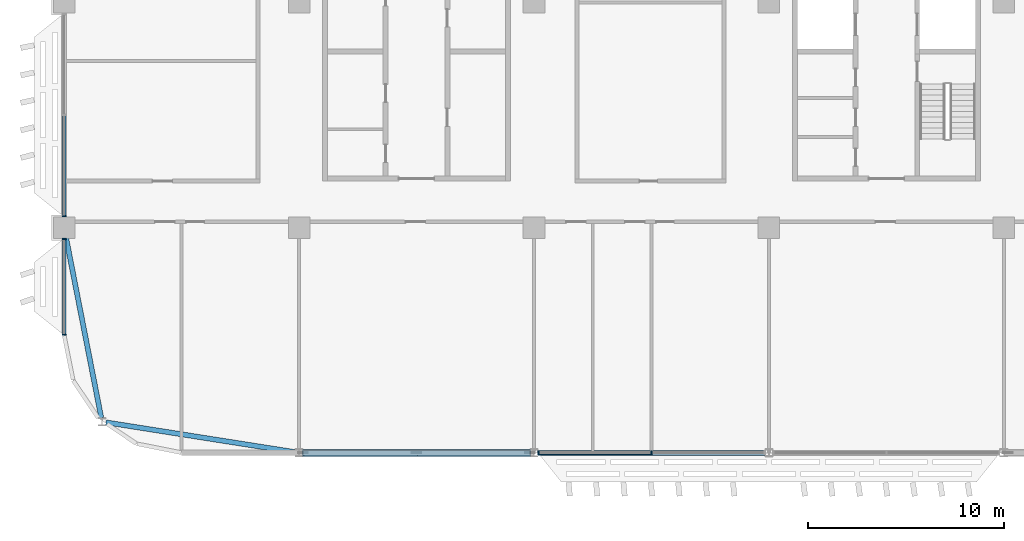
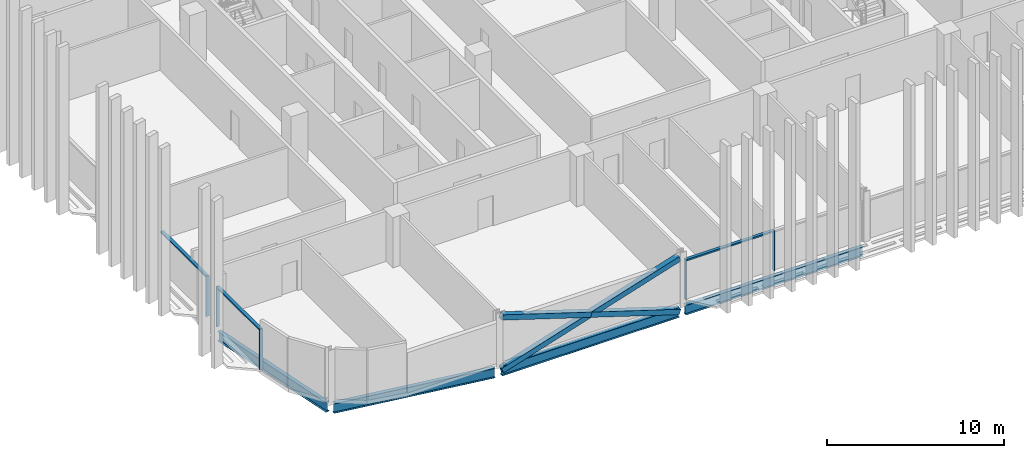
# One storey, part 4 of 30: 11 members, 4 beams, 3 elements without a shape of their own.
"""IFC4 building model written with IfcOpenShell, lengths in metres."""

from ifc_helpers import new_model, si_unit, direction, frame, origin, origin_2d, place, context, subcontext, project, spatial, rectangle, hollow_rectangle, i_section, extrude, material, material_profile, profile_set, type_object, element, aggregate, save


model = new_model("IFC4")

# Units and contexts
model_context = context("Model", 3, precision=1e-05, world=origin(), true_north=direction((0.0, 1.0)))
body_context = subcontext(model_context, "Body", "Model", "MODEL_VIEW")
ifc_project = project(units=[si_unit("LENGTHUNIT", "METRE"), si_unit("AREAUNIT", "SQUARE_METRE"), si_unit("VOLUMEUNIT", "CUBIC_METRE"), si_unit("PLANEANGLEUNIT", "RADIAN"), si_unit("MASSUNIT", "GRAM", prefix="KILO")], contexts=[model_context])

# Site, building, storey
site_placement = place(None, origin())
site = spatial("IfcSite", under=ifc_project, at=site_placement, CompositionType="ELEMENT")
building_placement = place(site_placement, origin())
building = spatial("IfcBuilding", under=site, at=building_placement, Name="Mahtab Terrace Research Tower", CompositionType="ELEMENT")
storey_placement = place(building_placement, frame((0.0, 0.0, 209.10009765625)))
storey = spatial("IfcBuildingStorey", under=building, at=storey_placement, Name="L50", CompositionType="ELEMENT", Elevation=209.10009765625)

# Members
ifc_material_1 = material(Name="Steel ASTM A500 Gr C", Category="steel")
ifc_material_profile_1 = material_profile(ifc_material_1, hollow_rectangle(XDim=0.355712890625, YDim=0.355712890625, WallThickness=0.015869140625, at=origin_2d()), Name="HSS14X14X5/8")
ifc_profile_set_1 = profile_set([ifc_material_profile_1], Name="Steel ASTM A500 Gr C")
member_type_1 = type_object("IfcMemberType", Name="HSS 14x14x5/8 brace XB141458", PredefinedType="BRACE", material=ifc_profile_set_1)
member_1_placement = place(storey_placement, frame((-29.79931640625, -23.0, -0.61572265625), z_axis=(0.953337604941, 0.0, 0.301906295073), x_axis=(0.0, 1.0, 0.0)))
element("IfcMember", 1, at=member_1_placement, inside=storey, type_object=member_type_1, Name="Exoskeleton brace L50 14 a", PredefinedType="BRACE", context=body_context, shape_type="SweptSolid", body=[
    extrude(hollow_rectangle(XDim=0.355712890625, YDim=0.355712890625, WallThickness=0.015869140625, at=origin_2d()), origin(), (0.0, 0.0, 1.0), 12.166259765625),
])
for number, where, z_axis, x_axis, name in (
    (2, (-18.20068359375, -23.0, -0.61572265625), (-0.953343380425, 0.0, 0.301888057067), (0.0, -1.0, 0.0), "Exoskeleton brace L50 14 b1"),
    (3, (-24.0, -23.0, 1.220703125), (-0.953331829178, 0.0, 0.301924532749), (0.0, -1.0, 0.0), "Exoskeleton brace L50 14 b2"),
):
    element("IfcMember", number, at=place(storey_placement, frame(where, z_axis=z_axis, x_axis=x_axis)), inside=storey, type_object=member_type_1, Name=name, PredefinedType="BRACE", context=body_context, shape_type="SweptSolid", body=[
        extrude(hollow_rectangle(XDim=0.355712890625, YDim=0.355712890625, WallThickness=0.015869140625, at=origin_2d()), origin(), (0.0, 0.0, 1.0), 6.083251953125),
    ])

# Curtain wall, member
ifc_material_2 = material(Name="Laboratory ribbon curtain wall")
curtain_wall_type = type_object("IfcCurtainWallType", Name="Laboratory ribbon curtain wall", PredefinedType="NOTDEFINED", material=ifc_material_2)
curtain_wall_1_placement = place(storey_placement, origin())
curtain_wall_1 = element("IfcCurtainWall", 4, at=curtain_wall_1_placement, inside=storey, type_object=curtain_wall_type, Name="EN.L50.8.17", PredefinedType="NOTDEFINED")
ifc_material_3 = material(Name="Natural anodised aluminium", Category="aluminium")
ifc_material_profile_2 = material_profile(ifc_material_3, rectangle(XDim=0.199951171875, YDim=0.06494140625, at=origin_2d()), Name="MULLION 65x200")
ifc_profile_set_2 = profile_set([ifc_material_profile_2], Name="Natural anodised aluminium")
member_type_2 = type_object("IfcMemberType", Name="Laboratory ribbon curtain wall mullion", PredefinedType="MULLION", material=ifc_profile_set_2)
member_2_placement = place(storey_placement, frame((-42.0, -10.91748046875, 0.0), z_axis=(0.0, 0.0, 1.0), x_axis=(1.0, 0.0, 0.0)))
member_2 = element("IfcMember", 5, at=member_2_placement, type_object=member_type_2, Name="CWL-6 mullion 3", PredefinedType="MULLION", context=body_context, shape_type="SweptSolid", body=[
    extrude(rectangle(XDim=0.199951171875, YDim=0.06494140625, at=origin_2d()), origin(), (0.0, 0.0, 1.0), 2.78173828125),
])

# Curtain wall, members
curtain_wall_2_placement = place(storey_placement, origin())
curtain_wall_2 = element("IfcCurtainWall", 6, at=curtain_wall_2_placement, inside=storey, type_object=curtain_wall_type, Name="EN.L50.8.18", PredefinedType="NOTDEFINED")
member_3_placement = place(storey_placement, frame((-42.0, -12.08251953125, 0.0), z_axis=(0.0, 0.0, 1.0), x_axis=(1.0, 0.0, 0.0)))
member_3 = element("IfcMember", 7, at=member_3_placement, type_object=member_type_2, Name="CWL-6 mullion 1", PredefinedType="MULLION", context=body_context, shape_type="SweptSolid", body=[
    extrude(rectangle(XDim=0.199951171875, YDim=0.06494140625, at=origin_2d()), origin(), (0.0, 0.0, 1.0), 2.78173828125),
])
member_4_placement = place(storey_placement, frame((-42.0, -16.967529296875, 0.0), z_axis=(0.0, 0.0, 1.0), x_axis=(1.0, 0.0, 0.0)))
member_4 = element("IfcMember", 8, at=member_4_placement, type_object=member_type_2, Name="CWL-6 mullion 2", PredefinedType="MULLION", context=body_context, shape_type="SweptSolid", body=[
    extrude(rectangle(XDim=0.199951171875, YDim=0.06494140625, at=origin_2d()), origin(), (0.0, 0.0, 1.0), 2.78173828125),
])

curtain_wall_3_placement = place(storey_placement, origin())
curtain_wall_3 = element("IfcCurtainWall", 9, at=curtain_wall_3_placement, inside=storey, type_object=curtain_wall_type, Name="EN.L50.13.25", PredefinedType="NOTDEFINED")
member_5_placement = place(storey_placement, frame((-17.767578125, -23.0, 0.0), z_axis=(0.0, 0.0, 1.0), x_axis=(0.0, 1.0, 0.0)))
member_5 = element("IfcMember", 10, at=member_5_placement, type_object=member_type_2, Name="CWL-6 mullion 1", PredefinedType="MULLION", context=body_context, shape_type="SweptSolid", body=[
    extrude(rectangle(XDim=0.199951171875, YDim=0.06494140625, at=origin_2d()), origin(), (0.0, 0.0, 1.0), 2.78173828125),
])
member_6_placement = place(storey_placement, frame((-12.0, -23.0, 0.0), z_axis=(0.0, 0.0, 1.0), x_axis=(0.0, 1.0, 0.0)))
member_6 = element("IfcMember", 11, at=member_6_placement, type_object=member_type_2, Name="CWL-6 mullion 2", PredefinedType="MULLION", context=body_context, shape_type="SweptSolid", body=[
    extrude(rectangle(XDim=0.199951171875, YDim=0.06494140625, at=origin_2d()), origin(), (0.0, 0.0, 1.0), 2.78173828125),
])

# Member
ifc_material_profile_3 = material_profile(ifc_material_3, rectangle(XDim=0.199951171875, YDim=0.10009765625, at=origin_2d()), Name="TRANSOM 100x200")
ifc_profile_set_3 = profile_set([ifc_material_profile_3], Name="Natural anodised aluminium")
member_type_3 = type_object("IfcMemberType", Name="Laboratory ribbon curtain wall transom", PredefinedType="USERDEFINED", material=ifc_profile_set_3)
member_7_placement = place(storey_placement, frame((-42.0, -5.782470703125, 2.731689453125), z_axis=(0.0, -1.0, 0.0), x_axis=(1.0, 0.0, 0.0)))
member_7 = element("IfcMember", 12, at=member_7_placement, type_object=member_type_3, Name="CWL-6 transom 2", ObjectType="TRANSOM", PredefinedType="USERDEFINED", context=body_context, shape_type="SweptSolid", body=[
    extrude(rectangle(XDim=0.199951171875, YDim=0.10009765625, at=origin_2d()), origin(), (0.0, 0.0, 1.0), 5.1025390625),
])

aggregate(curtain_wall_1, [member_2, member_7])

member_8_placement = place(storey_placement, frame((-42.0, -12.114990234375, 2.731689453125), z_axis=(0.0, -1.0, 0.0), x_axis=(1.0, 0.0, 0.0)))
member_8 = element("IfcMember", 13, at=member_8_placement, type_object=member_type_3, Name="CWL-6 transom 1", ObjectType="TRANSOM", PredefinedType="USERDEFINED", context=body_context, shape_type="SweptSolid", body=[
    extrude(rectangle(XDim=0.199951171875, YDim=0.10009765625, at=origin_2d()), origin(), (0.0, 0.0, 1.0), 4.820068359375),
])

aggregate(curtain_wall_2, [member_3, member_4, member_8])

member_9_placement = place(storey_placement, frame((-17.735107421875, -23.0, 2.731689453125), z_axis=(1.0, 0.0, 0.0), x_axis=(0.0, 1.0, 0.0)))
member_9 = element("IfcMember", 14, at=member_9_placement, type_object=member_type_3, Name="CWL-6 transom 1", ObjectType="TRANSOM", PredefinedType="USERDEFINED", context=body_context, shape_type="SweptSolid", body=[
    extrude(rectangle(XDim=0.199951171875, YDim=0.10009765625, at=origin_2d()), origin(), (0.0, 0.0, 1.0), 5.70263671875),
])

aggregate(curtain_wall_3, [member_5, member_6, member_9])

# Beams
ifc_material_4 = material(Name="Steel ASTM A992 Gr 50", Category="steel")
ifc_material_profile_4 = material_profile(ifc_material_4, i_section(OverallWidth=0.25390625, OverallDepth=0.67822265625, WebThickness=0.01171875, FlangeThickness=0.016357421875, at=origin_2d()), Name="W27X84")
ifc_profile_set_4 = profile_set([ifc_material_profile_4], Name="Steel ASTM A992 Gr 50")
beam_type = type_object("IfcBeamType", Name="W27x84 beam BS2784", PredefinedType="BEAM", material=ifc_profile_set_4)
beam_1_placement = place(storey_placement, frame((-41.892578125, -12.050048828125, -0.67919921875), z_axis=(0.191811291145, -0.981431825747, 0.0), x_axis=(0.981431825747, 0.191811291145, 0.0)))
element("IfcBeam", 15, at=beam_1_placement, inside=storey, type_object=beam_type, Name="Spandrel beam L50 12", PredefinedType="BEAM", context=body_context, shape_type="SweptSolid", body=[
    extrude(i_section(OverallWidth=0.25390625, OverallDepth=0.67822265625, WebThickness=0.01171875, FlangeThickness=0.016357421875, at=origin_2d()), origin(), (0.0, 0.0, 1.0), 9.33984375),
])
beam_2_placement = place(storey_placement, frame((-39.861328125, -21.447509765625, -0.67919921875), z_axis=(0.987831689273, -0.155526697604, 0.0), x_axis=(0.155526697604, 0.987831689273, 0.0)))
element("IfcBeam", 16, at=beam_2_placement, inside=storey, type_object=beam_type, Name="Spandrel beam L50 13", PredefinedType="BEAM", context=body_context, shape_type="SweptSolid", body=[
    extrude(i_section(OverallWidth=0.25390625, OverallDepth=0.67822265625, WebThickness=0.01171875, FlangeThickness=0.016357421875, at=origin_2d()), origin(), (0.0, 0.0, 1.0), 9.779541015625),
])
for number, where, z_axis, x_axis, name in (
    (17, (-29.79931640625, -23.0, -0.67919921875), (1.0, 0.0, 0.0), (0.0, 1.0, 0.0), "Spandrel beam L50 14"),
    (18, (-17.79931640625, -23.0, -0.67919921875), (1.0, 0.0, 0.0), (0.0, 1.0, 0.0), "Spandrel beam L50 15"),
):
    element("IfcBeam", number, at=place(storey_placement, frame(where, z_axis=z_axis, x_axis=x_axis)), inside=storey, type_object=beam_type, Name=name, PredefinedType="BEAM", context=body_context, shape_type="SweptSolid", body=[
        extrude(i_section(OverallWidth=0.25390625, OverallDepth=0.67822265625, WebThickness=0.01171875, FlangeThickness=0.016357421875, at=origin_2d()), origin(), (0.0, 0.0, 1.0), 11.5986328125),
    ])

save(model, "model.ifc")
